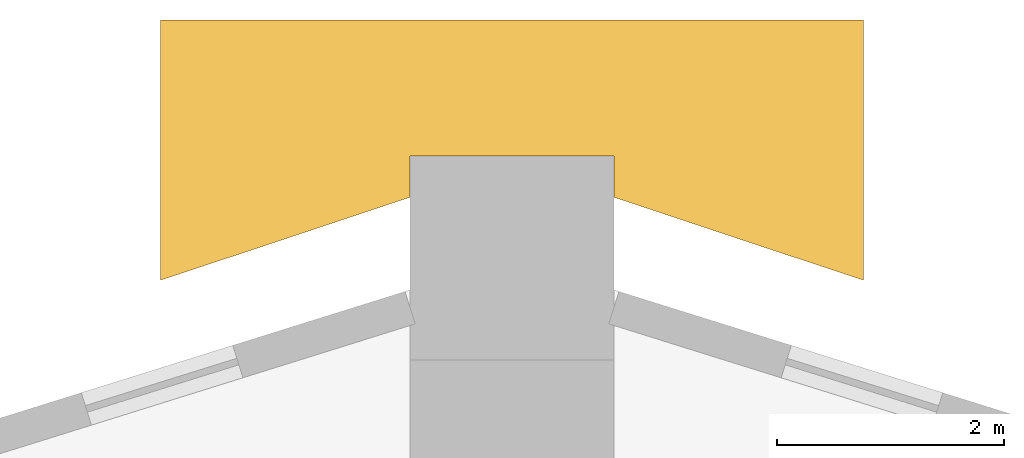
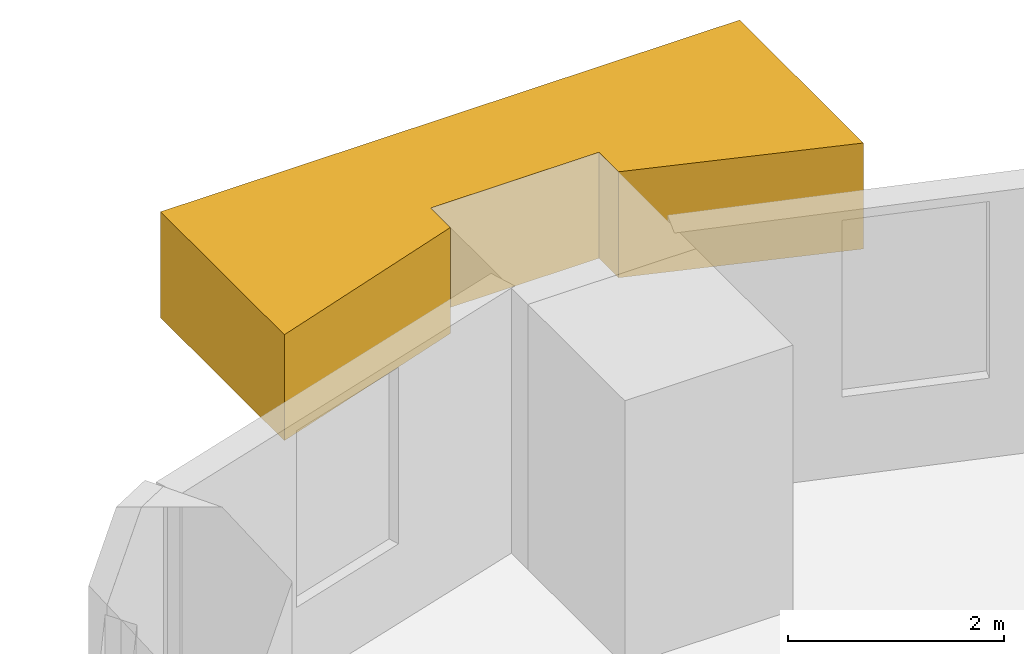
# One storey, part 12 of 12: 1 covering.
"""IFC4 building model written with IfcOpenShell, lengths in metres."""

from ifc_helpers import new_model, si_unit, direction, frame, origin, place, context, subcontext, project, spatial, polyline, outline, extrude, material, type_object, element, save


model = new_model("IFC4")

# Units and contexts
model_context = context("Model", 3, precision=1e-05, world=origin(), true_north=direction((0.0, 1.0)))
body_context = subcontext(model_context, "Body", "Model", "MODEL_VIEW")
ifc_project = project(units=[si_unit("LENGTHUNIT", "METRE"), si_unit("AREAUNIT", "SQUARE_METRE"), si_unit("VOLUMEUNIT", "CUBIC_METRE"), si_unit("PLANEANGLEUNIT", "RADIAN"), si_unit("MASSUNIT", "GRAM", prefix="KILO")], contexts=[model_context])

# Site, building, storey
site_placement = place(None, origin())
site = spatial("IfcSite", under=ifc_project, at=site_placement, CompositionType="ELEMENT")
building_placement = place(site_placement, origin())
building = spatial("IfcBuilding", under=site, at=building_placement, Name="Entoto Arch Interchange Tower", CompositionType="ELEMENT")
storey_placement = place(building_placement, frame((0.0, 0.0, 277.39990234375)))
storey = spatial("IfcBuildingStorey", under=building, at=storey_placement, Name="L64", CompositionType="ELEMENT", Elevation=277.39990234375)

# Covering
ifc_material = material(Name="Board-marked precast concrete C50/60", Category="concrete")
covering_type = type_object("IfcCoveringType", Name="PRECAST FRAME COURSE", PredefinedType="CLADDING", material=ifc_material)
covering_placement = place(storey_placement, frame((0.0, 0.0, 1.800048828125)))
element("IfcCovering", 1, at=covering_placement, inside=storey, type_object=covering_type, Name="Corner pilaster head N L63-L64", PredefinedType="CLADDING", context=body_context, shape_type="SweptSolid", body=[
    extrude(outline(polyline([(-3.10009765625, 33.087890625), (3.10009765625, 33.087890625), (3.10009765625, 30.7919921875), (0.89990234375, 31.52392578125), (0.89990234375, 31.887939453125), (-0.89990234375, 31.887939453125), (-0.89990234375, 31.52392578125), (-3.10009765625, 30.7919921875), (-3.10009765625, 33.087890625)])), origin(), (0.0, 0.0, 1.0), 1.199951171875),
])

save(model, "model.ifc")
